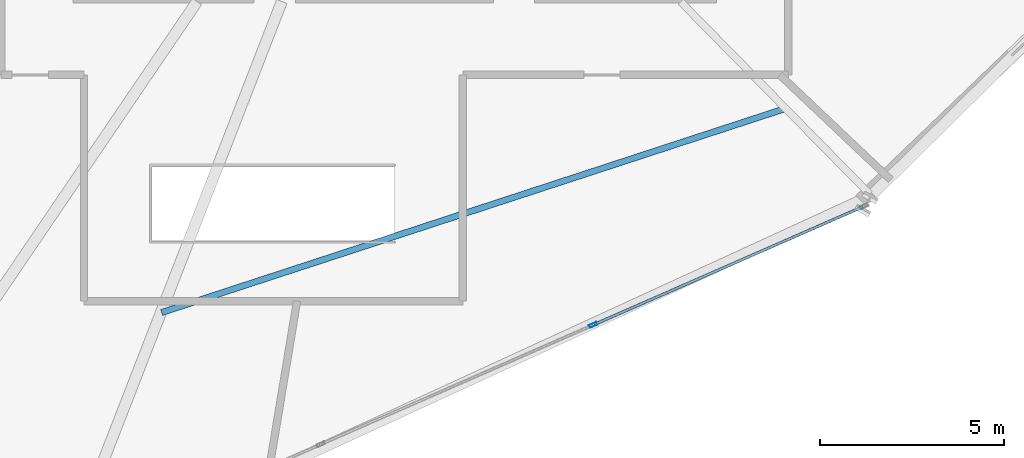
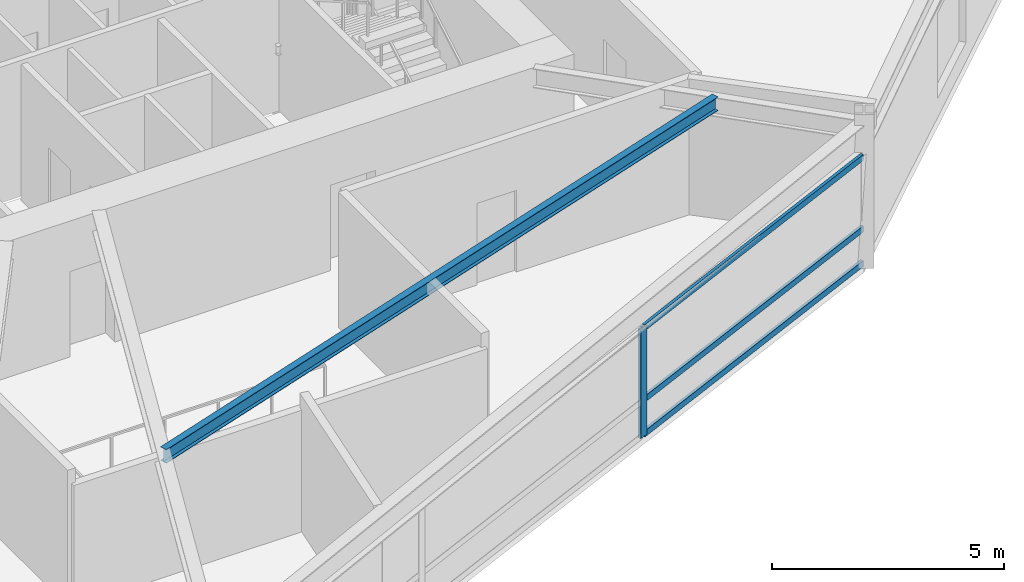
# One storey, part 6 of 17: 4 members, 1 beam, 1 element without a shape of its own.
"""IFC4 building model written with IfcOpenShell, lengths in metres."""

from ifc_helpers import new_model, si_unit, direction, frame, origin, origin_2d, place, context, subcontext, project, spatial, hollow_rectangle, i_section, extrude, source, transform, mapped, material, material_profile, profile_set, type_object, element, aggregate, save


model = new_model("IFC4")

# Units and contexts
model_context = context("Model", 3, precision=1e-05, world=origin(), true_north=direction((0.0, 1.0)))
body_context = subcontext(model_context, "Body", "Model", "MODEL_VIEW")
ifc_project = project(units=[si_unit("LENGTHUNIT", "METRE"), si_unit("AREAUNIT", "SQUARE_METRE"), si_unit("VOLUMEUNIT", "CUBIC_METRE"), si_unit("PLANEANGLEUNIT", "RADIAN"), si_unit("MASSUNIT", "GRAM", prefix="KILO")], contexts=[model_context])

# Site, building, storey
site_placement = place(None, origin())
site = spatial("IfcSite", under=ifc_project, at=site_placement, CompositionType="ELEMENT")
building_placement = place(site_placement, origin())
building = spatial("IfcBuilding", under=site, at=building_placement, Name="Olszyna Solenne Hotel", CompositionType="ELEMENT")
storey_placement = place(building_placement, frame((0.0, 0.0, 75.89990234375)))
storey = spatial("IfcBuildingStorey", under=building, at=storey_placement, Name="L19", CompositionType="ELEMENT", Elevation=75.89990234375)

# Beam
ifc_material_1 = material(Name="Steel S355J2", Category="steel")
ifc_material_profile_1 = material_profile(ifc_material_1, i_section(OverallWidth=0.169921875, OverallDepth=0.360107421875, WebThickness=0.008056640625, FlangeThickness=0.0126953125, at=origin_2d()), Name="IPE 360", Category="load-bearing")
ifc_profile_set_1 = profile_set([ifc_material_profile_1], Name="Steel S355J2")
beam_type = type_object("IfcBeamType", Name="JS-01", PredefinedType="JOIST", material=ifc_profile_set_1)
shared_shape_1 = source(origin(), body_context, "Body", "SweptSolid", [
    extrude(i_section(OverallWidth=0.169921875, OverallDepth=0.360107421875, WebThickness=0.008056640625, FlangeThickness=0.0126953125, at=origin_2d()), origin(), (0.0, 0.0, 1.0), 17.83056640625),
])
beam_placement = place(storey_placement, frame((31.65966796875, 10.23828125, 3.400146484375), z_axis=(0.950444217035, 0.310895143586, 0.0), x_axis=(-0.310895143586, 0.950444217035, 0.0)))
element("IfcBeam", 1, at=beam_placement, inside=storey, type_object=beam_type, Name="Secondary composite floor joist JS-01 B-L19-0599", PredefinedType="JOIST", context=body_context, shape_type="MappedRepresentation", body=[
    mapped(shared_shape_1, transform((0.0, 0.0, 0.0), x_axis=(1.0, 0.0, 0.0), y_axis=(0.0, 1.0, 0.0), z_axis=(0.0, 0.0, 1.0), scale=1.0)),
])

# Curtain wall, members
ifc_material_2 = material(Name="Anodised bronze aluminium", Category="aluminium")
curtain_wall_type = type_object("IfcCurtainWallType", Name="CW-SYS-6", PredefinedType="NOTDEFINED", material=ifc_material_2)
curtain_wall_placement = place(storey_placement, origin())
curtain_wall = element("IfcCurtainWall", 2, at=curtain_wall_placement, inside=storey, type_object=curtain_wall_type, Name="Unitised curtain wall CW-SYS-6 CW-L19-01", PredefinedType="NOTDEFINED")
ifc_material_profile_2 = material_profile(ifc_material_2, hollow_rectangle(XDim=0.080078125, YDim=0.219970703125, WallThickness=0.0048828125, at=origin_2d()), Name="MULL 220x80x5", Category="load-bearing")
ifc_profile_set_2 = profile_set([ifc_material_profile_2], Name="Anodised bronze aluminium")
member_type_1 = type_object("IfcMemberType", Name="CW-M1", PredefinedType="MULLION", material=ifc_profile_set_2)
shared_shape_2 = source(origin(), body_context, "Body", "SweptSolid", [
    extrude(hollow_rectangle(XDim=0.080078125, YDim=0.219970703125, WallThickness=0.0048828125, at=origin_2d()), origin(), (0.0, 0.0, 1.0), 2.8720703125),
])
member_1_placement = place(storey_placement, frame((43.3974609375, 9.903564453125, 0.0), z_axis=(0.0, 0.0, 1.0), x_axis=(-0.401449312443, 0.91588124205, 0.0)))
member_1 = element("IfcMember", 3, at=member_1_placement, type_object=member_type_1, Name="Curtain-wall mullion CW-M1 CM-L19-01-03", PredefinedType="MULLION", context=body_context, shape_type="MappedRepresentation", body=[
    mapped(shared_shape_2, transform((0.0, 0.0, 0.0), x_axis=(1.0, 0.0, 0.0), y_axis=(0.0, 1.0, 0.0), z_axis=(0.0, 0.0, 1.0), scale=1.0)),
])
ifc_material_profile_3 = material_profile(ifc_material_2, hollow_rectangle(XDim=0.074951171875, YDim=0.159912109375, WallThickness=0.00390625, at=origin_2d()), Name="TRAN 160x75x4", Category="load-bearing")
ifc_profile_set_3 = profile_set([ifc_material_profile_3], Name="Anodised bronze aluminium")
member_type_2 = type_object("IfcMemberType", Name="CW-T1", PredefinedType="USERDEFINED", material=ifc_profile_set_3)
shared_shape_3 = source(origin(), body_context, "Body", "SweptSolid", [
    extrude(hollow_rectangle(XDim=0.074951171875, YDim=0.159912109375, WallThickness=0.00390625, at=origin_2d()), origin(), (0.0, 0.0, 1.0), 7.963623046875),
])
member_2_placement = place(storey_placement, frame((43.43408203125, 9.91943359375, 0.03759765625), z_axis=(0.915879190968, 0.401453991824, 0.0), x_axis=(-0.401453991824, 0.915879190968, 0.0)))
member_2 = element("IfcMember", 4, at=member_2_placement, type_object=member_type_2, Name="Curtain-wall transom CW-T1 CT-L19-01-07", ObjectType="TRANSOM", PredefinedType="USERDEFINED", context=body_context, shape_type="MappedRepresentation", body=[
    mapped(shared_shape_3, transform((0.0, 0.0, 0.0), x_axis=(1.0, 0.0, 0.0), y_axis=(0.0, 1.0, 0.0), z_axis=(0.0, 0.0, 1.0), scale=1.0)),
])
member_3_placement = place(storey_placement, frame((43.43408203125, 9.91943359375, 0.9501953125), z_axis=(0.915879190968, 0.401453991824, 0.0), x_axis=(-0.401453991824, 0.915879190968, 0.0)))
member_3 = element("IfcMember", 5, at=member_3_placement, type_object=member_type_2, Name="Curtain-wall transom CW-T1 CT-L19-01-08", ObjectType="TRANSOM", PredefinedType="USERDEFINED", context=body_context, shape_type="MappedRepresentation", body=[
    mapped(shared_shape_3, transform((0.0, 0.0, 0.0), x_axis=(1.0, 0.0, 0.0), y_axis=(0.0, 1.0, 0.0), z_axis=(0.0, 0.0, 1.0), scale=1.0)),
])
member_4_placement = place(storey_placement, frame((43.43408203125, 9.91943359375, 2.834716796875), z_axis=(0.915879190968, 0.401453991824, 0.0), x_axis=(-0.401453991824, 0.915879190968, 0.0)))
member_4 = element("IfcMember", 6, at=member_4_placement, type_object=member_type_2, Name="Curtain-wall transom CW-T1 CT-L19-01-09", ObjectType="TRANSOM", PredefinedType="USERDEFINED", context=body_context, shape_type="MappedRepresentation", body=[
    mapped(shared_shape_3, transform((0.0, 0.0, 0.0), x_axis=(1.0, 0.0, 0.0), y_axis=(0.0, 1.0, 0.0), z_axis=(0.0, 0.0, 1.0), scale=1.0)),
])
aggregate(curtain_wall, [member_1, member_2, member_3, member_4])

save(model, "model.ifc")
